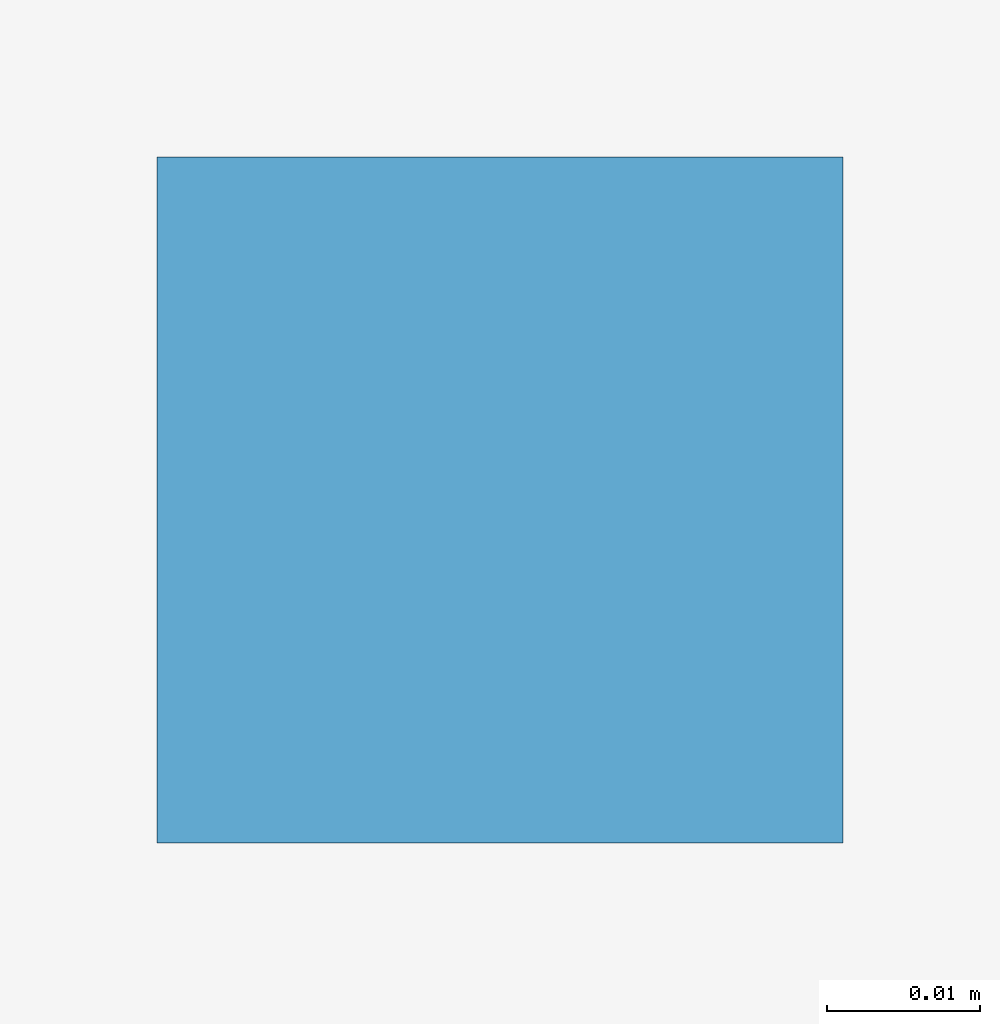
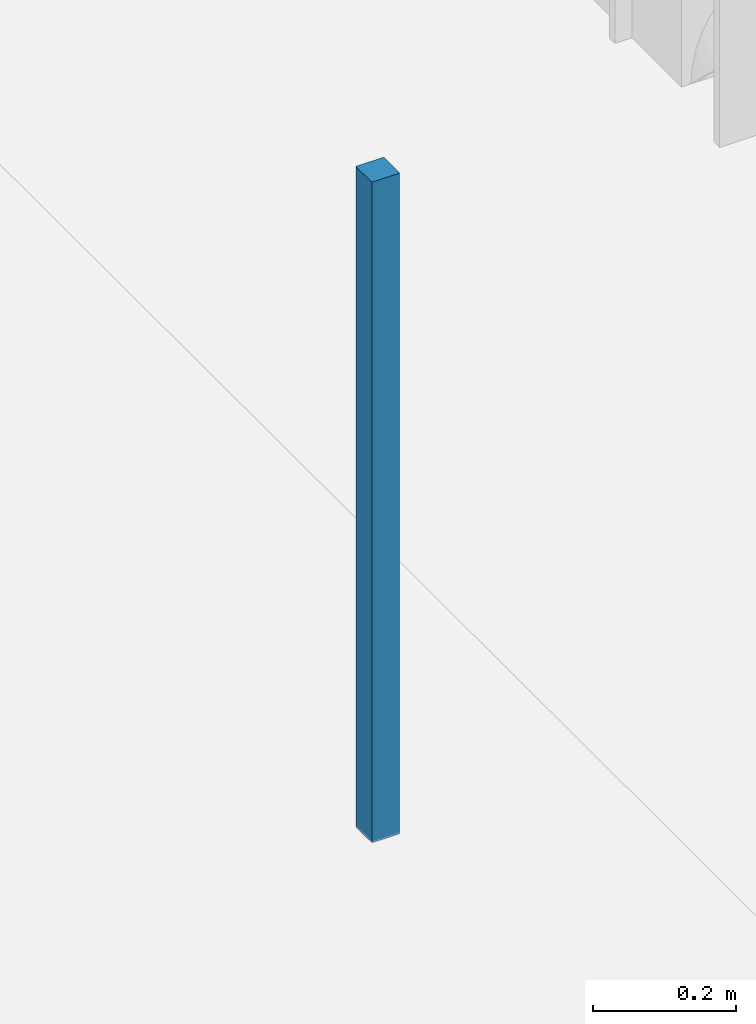
# One storey, part 73 of 89: 1 discrete accessory.
"""IFC4 building model written with IfcOpenShell, lengths in metres."""

from ifc_helpers import new_model, si_unit, direction, frame, origin, origin_2d, place, context, subcontext, project, spatial, rectangle, extrude, material, type_object, element, save


model = new_model("IFC4")

# Units and contexts
model_context = context("Model", 3, precision=1e-05, world=origin(), true_north=direction((0.0, 1.0)))
body_context = subcontext(model_context, "Body", "Model", "MODEL_VIEW")
ifc_project = project(units=[si_unit("LENGTHUNIT", "METRE"), si_unit("AREAUNIT", "SQUARE_METRE"), si_unit("VOLUMEUNIT", "CUBIC_METRE"), si_unit("PLANEANGLEUNIT", "RADIAN"), si_unit("MASSUNIT", "GRAM", prefix="KILO"), si_unit("THERMODYNAMICTEMPERATUREUNIT", "KELVIN"), si_unit("POWERUNIT", "WATT")], contexts=[model_context])

# Site, building, storey
site_placement = place(None, origin())
site = spatial("IfcSite", under=ifc_project, at=site_placement, CompositionType="ELEMENT")
building_placement = place(site_placement, origin())
building = spatial("IfcBuilding", under=site, at=building_placement, Name="Tallowbark Science Centre", CompositionType="ELEMENT")
storey_placement = place(building_placement, frame((0.0, 0.0, 14.39990234375)))
storey = spatial("IfcBuildingStorey", under=building, at=storey_placement, Name="L03", CompositionType="ELEMENT", Elevation=14.39990234375)

# Discrete accessory
ifc_material = material(Name="Galvanised Steel Grade C350L0 (350 MPa)", Category="steel")
discrete_accessory_type = type_object("IfcDiscreteAccessoryType", Name="ACC-CLG-HNG", PredefinedType="BRACKET", material=ifc_material)
discrete_accessory_placement = place(storey_placement, frame((153.8125, 75.6787109375, 3.2060546875), z_axis=(0.0, 0.0, 1.0), x_axis=(1.0, 0.0, 0.0)))
element("IfcDiscreteAccessory", 1, at=discrete_accessory_placement, inside=storey, type_object=discrete_accessory_type, Name="Ceiling Hanger Bracket L03-1061", PredefinedType="BRACKET", context=body_context, shape_type="SweptSolid", body=[
    extrude(rectangle(XDim=0.044921875, YDim=0.044921875, at=origin_2d()), origin(), (0.0, 0.0, 1.0), 1.126953125),
])

save(model, "model.ifc")
